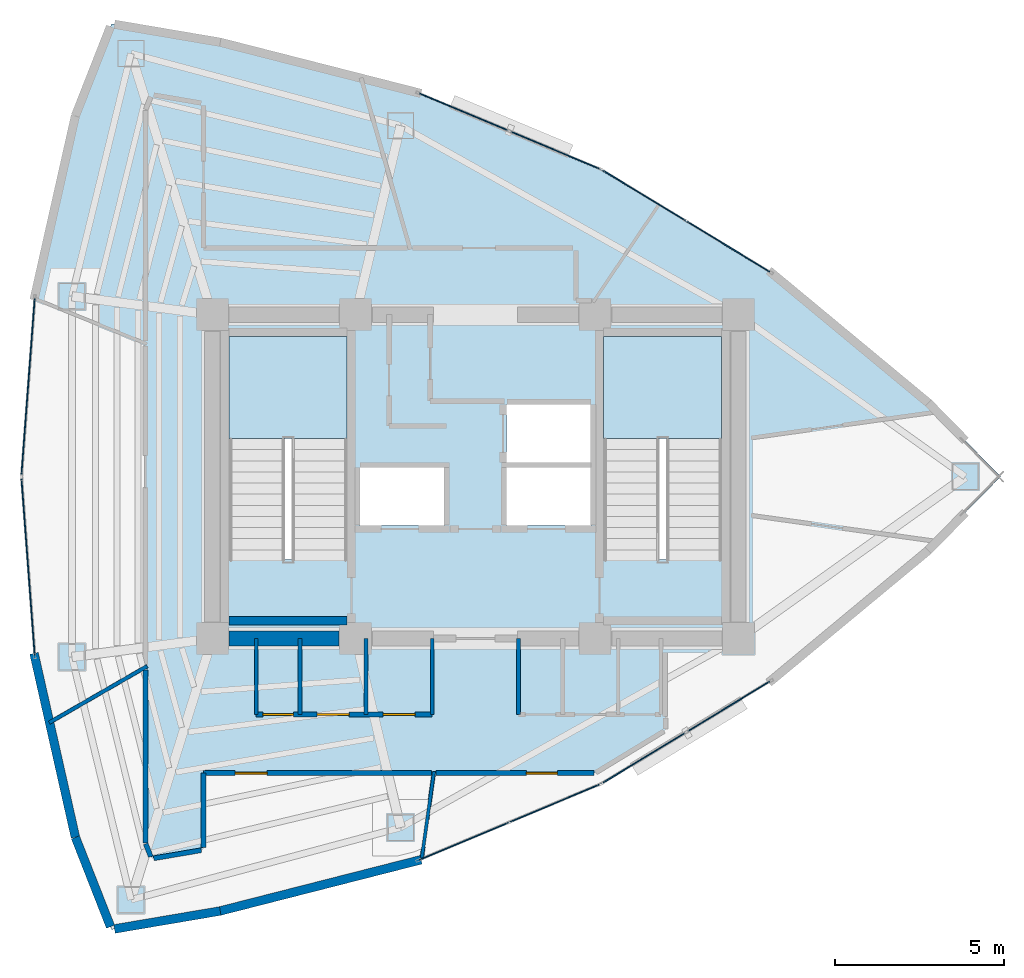
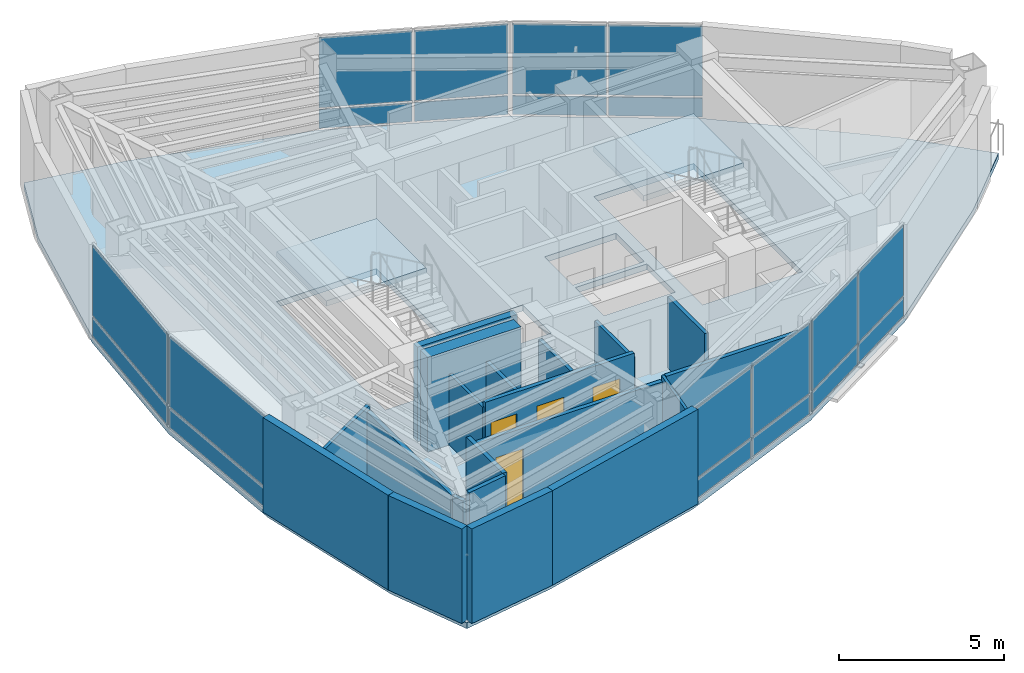
# One storey, part 11 of 15: 20 plates, 20 walls, 5 doors, 3 slabs, 5 openings, 8 elements without a shape of their own.
"""IFC4 building model written with IfcOpenShell, lengths in metres."""

import ifcopenshell
import ifcopenshell.guid

model = None  # the IFC model being written
_history = None  # IfcOwnerHistory: only IFC2X3 demands one
_inside = {}  # id of a spatial element -> (the spatial element, [elements in it])
_under = {}  # id of a project, library or spatial element -> (it, [spatial elements below it])
_declared = {}  # id of a project -> (the project, [libraries it declares])
_typed = {}  # id of a type object -> (the type object, [elements of that type])
_made_of = {}  # id of a material, layer set ... -> (it, [elements and type objects made of it])


def new_model(schema):
    """Start an empty IFC model of exactly this schema.

    Asked for "IFC4X3", IfcOpenShell would pick the latest addendum, in which some entities
    have other attributes; the version numbers below select the first issue.
    IFC2X3 requires an IfcOwnerHistory on every rooted entity: one is made here for all.
    """
    global model, _history
    if schema == "IFC4X3":
        model = ifcopenshell.file(schema_version=(4, 3, 0, 0))
    else:
        model = ifcopenshell.file(schema=schema)
    _inside.clear()
    _under.clear()
    _declared.clear()
    _typed.clear()
    _made_of.clear()
    _history = None
    if model.schema == "IFC2X3":
        org = make("IfcOrganization", Name="unknown")
        user = make(
            "IfcPersonAndOrganization",
            ThePerson=make("IfcPerson", FamilyName="unknown"),
            TheOrganization=org,
        )
        app = make(
            "IfcApplication",
            ApplicationDeveloper=org,
            Version="unknown",
            ApplicationFullName="unknown",
            ApplicationIdentifier="unknown",
        )
        _history = make(
            "IfcOwnerHistory",
            OwningUser=user,
            OwningApplication=app,
            ChangeAction="ADDED",
            CreationDate=0,
        )
    return model


def make(cls, **values):
    """One entity of the class cls with the attributes given. An attribute that is None is left unset."""
    return model.create_entity(
        cls, **{name: value for name, value in values.items() if value is not None}
    )


def rooted(cls, **values):
    """An entity with a GlobalId (a new one), such as an element, a storey or a relation."""
    return make(cls, GlobalId=ifcopenshell.guid.new(), OwnerHistory=_history, **values)


def si_unit(unit_type, name, prefix=None):
    """IfcSIUnit, for example si_unit("LENGTHUNIT", "METRE", prefix="MILLI")."""
    return make("IfcSIUnit", UnitType=unit_type, Prefix=prefix, Name=name)


def assignment(units):
    """IfcUnitAssignment: the units of a project."""
    return None if units is None else make("IfcUnitAssignment", Units=units)


def point(xyz):
    """IfcCartesianPoint."""
    return None if xyz is None else make("IfcCartesianPoint", Coordinates=xyz)


def direction(xyz):
    """IfcDirection."""
    return None if xyz is None else make("IfcDirection", DirectionRatios=xyz)


def frame(location, z_axis=None, x_axis=None):
    """IfcAxis2Placement3D, a coordinate frame: its origin and axes. An axis left out is left unset."""
    return make(
        "IfcAxis2Placement3D",
        Location=point(location),
        Axis=direction(z_axis),
        RefDirection=direction(x_axis),
    )


def frame_2d(location, x_axis=None):
    """IfcAxis2Placement2D, a coordinate frame in the plane: its origin and x axis."""
    return make(
        "IfcAxis2Placement2D", Location=point(location), RefDirection=direction(x_axis)
    )


def origin():
    """The frame at (0, 0, 0) with its axes left unset."""
    return frame((0.0, 0.0, 0.0))


def origin_2d():
    """The frame at (0, 0) in the plane with its x axis left unset."""
    return frame_2d((0.0, 0.0))


def place(relative_to, where):
    """IfcLocalPlacement: puts the frame where relative to a parent placement (None: the world)."""
    return make(
        "IfcLocalPlacement", PlacementRelTo=relative_to, RelativePlacement=where
    )


def context(
    kind, dimensions, precision=None, world=None, true_north=None, identifier=None
):
    """IfcGeometricRepresentationContext, for example the 3D "Model" context."""
    return make(
        "IfcGeometricRepresentationContext",
        ContextIdentifier=identifier,
        ContextType=kind,
        CoordinateSpaceDimension=dimensions,
        Precision=precision,
        WorldCoordinateSystem=world,
        TrueNorth=true_north,
    )


def subcontext(parent, identifier, kind, view, scale=None):
    """IfcGeometricRepresentationSubContext, for example "Body" below "Model"."""
    return make(
        "IfcGeometricRepresentationSubContext",
        ContextIdentifier=identifier,
        ContextType=kind,
        ParentContext=parent,
        TargetScale=scale,
        TargetView=view,
    )


def project(units=None, contexts=None):
    """IfcProject with its units and contexts."""
    return rooted(
        "IfcProject",
        Name="project",
        RepresentationContexts=contexts,
        UnitsInContext=assignment(units),
    )


def spatial(cls, under=None, at=None, **own):
    """A site, building, storey or space (cls), placed at a placement, below another one or the project."""
    s = rooted(cls, ObjectPlacement=at, **own)
    if under is not None:
        _under.setdefault(under.id(), (under, []))[1].append(s)
    return s


def polyline(points):
    """IfcPolyline through the points."""
    return make("IfcPolyline", Points=[point(p) for p in points])


def profile(cls, at=None, kind="AREA", **sizes):
    """A parametric profile (cls). Its sizes go by their IFC names, for example OverallWidth=200.0."""
    return make(cls, ProfileType=kind, Position=at, **sizes)


def rectangle(**sizes):
    """IfcRectangleProfileDef."""
    return profile("IfcRectangleProfileDef", **sizes)


def outline(outer, holes=None, kind="AREA"):
    """IfcArbitraryClosedProfileDef: a profile drawn as a closed curve; with holes, ...WithVoids."""
    if holes is None:
        return make("IfcArbitraryClosedProfileDef", ProfileType=kind, OuterCurve=outer)
    return make(
        "IfcArbitraryProfileDefWithVoids",
        ProfileType=kind,
        OuterCurve=outer,
        InnerCurves=holes,
    )


def extrude(swept, where, along, depth):
    """IfcExtrudedAreaSolid: the profile swept, set in the frame where, extruded along a direction by depth."""
    return make(
        "IfcExtrudedAreaSolid",
        SweptArea=swept,
        Position=where,
        ExtrudedDirection=direction(along),
        Depth=depth,
    )


def shape(context_of_items, identifier, shape_type, items):
    """IfcShapeRepresentation: the items that make up one representation, for example the "Body"."""
    return make(
        "IfcShapeRepresentation",
        ContextOfItems=context_of_items,
        RepresentationIdentifier=identifier,
        RepresentationType=shape_type,
        Items=items,
    )


def material(Name=None, Category=None):
    """IfcMaterial."""
    return make("IfcMaterial", Name=Name, Category=Category)


def layer(
    of_material, thickness, ventilated=None, Name=None, Category=None, Priority=None
):
    """IfcMaterialLayer: one layer of a wall or slab, of a material (None: an air gap)."""
    return make(
        "IfcMaterialLayer",
        Material=of_material,
        LayerThickness=thickness,
        IsVentilated=ventilated,
        Name=Name,
        Category=Category,
        Priority=Priority,
    )


def layer_set(layers, Name=None):
    """IfcMaterialLayerSet."""
    return make("IfcMaterialLayerSet", MaterialLayers=layers, LayerSetName=Name)


def made_of(thing, what):
    """Note that an element or type object is made of a material, layer set ...; save() writes the relation."""
    if what is not None:
        _made_of.setdefault(what.id(), (what, []))[1].append(thing)
    return thing


def type_object(cls, material=None, **own):
    """A type object (cls), such as IfcWallType, which elements share."""
    return made_of(rooted(cls, **own), material)


def element(
    cls,
    number,
    at=None,
    inside=None,
    cuts=None,
    type_object=None,
    material=None,
    context=None,
    identifier="Body",
    shape_type=None,
    held_by="IfcProductDefinitionShape",
    body=None,
    shapes=None,
    **own,
):
    """One element of the class cls, such as IfcWall. Its Tag is "e" and its number.

    at: its placement. inside: the storey or other place that contains it. cuts: it is an
    opening in that element (IfcRelVoidsElement). A single representation is given by context,
    identifier, shape_type and body (its items); several are given by shapes. held_by: the class
    of the entity that holds the representations. save() writes the other relations.
    """
    e = rooted(cls, Tag="e%d" % number, ObjectPlacement=at, **own)
    if body is not None:
        shapes = [shape(context, identifier, shape_type, body)]
    if shapes is not None:
        e.Representation = make(held_by, Representations=shapes)
    if inside is not None:
        _inside.setdefault(inside.id(), (inside, []))[1].append(e)
    if cuts is not None:
        rooted(
            "IfcRelVoidsElement", RelatingBuildingElement=cuts, RelatedOpeningElement=e
        )
    if type_object is not None:
        _typed.setdefault(type_object.id(), (type_object, []))[1].append(e)
    return made_of(e, material)


def fill(opening, filler):
    """IfcRelFillsElement: the door or window that sits in an opening."""
    return rooted(
        "IfcRelFillsElement",
        RelatingOpeningElement=opening,
        RelatedBuildingElement=filler,
    )


def aggregate(whole, parts):
    """IfcRelAggregates: a whole, such as a stair, and the parts it consists of."""
    return rooted("IfcRelAggregates", RelatingObject=whole, RelatedObjects=parts)


def save(model, path):
    """Write the relations noted so far, then the file.

    IfcRelAggregates (storeys below a building ...), IfcRelContainedInSpatialStructure (elements
    in a storey), IfcRelDefinesByType, IfcRelAssociatesMaterial and IfcRelDeclares: one each for
    every whole, place, type object, material and project.
    """
    for whole, parts in _under.values():
        aggregate(whole, parts)
    for where, things in _inside.values():
        rooted(
            "IfcRelContainedInSpatialStructure",
            RelatedElements=things,
            RelatingStructure=where,
        )
    for kind, things in _typed.values():
        rooted("IfcRelDefinesByType", RelatedObjects=things, RelatingType=kind)
    for what, things in _made_of.values():
        rooted("IfcRelAssociatesMaterial", RelatedObjects=things, RelatingMaterial=what)
    for by, libraries in _declared.values():
        rooted("IfcRelDeclares", RelatingContext=by, RelatedDefinitions=libraries)
    model.write(path)


model = new_model("IFC4")

# Units and contexts
model_context = context("Model", 3, precision=1e-05, world=origin(), true_north=direction((0.0, 1.0)))
body_context = subcontext(model_context, "Body", "Model", "MODEL_VIEW")
ifc_project = project(units=[si_unit("LENGTHUNIT", "METRE"), si_unit("AREAUNIT", "SQUARE_METRE"), si_unit("VOLUMEUNIT", "CUBIC_METRE"), si_unit("PLANEANGLEUNIT", "RADIAN"), si_unit("MASSUNIT", "GRAM", prefix="KILO")], contexts=[model_context])

# Site, building, storey
site_placement = place(None, origin())
site = spatial("IfcSite", under=ifc_project, at=site_placement, CompositionType="ELEMENT")
building_placement = place(site_placement, origin())
building = spatial("IfcBuilding", under=site, at=building_placement, Name="Menara Vayukalpa", CompositionType="ELEMENT")
storey_placement = place(building_placement, frame((0.0, 0.0, 284.340087890625)))
storey = spatial("IfcBuildingStorey", under=building, at=storey_placement, Name="L72", CompositionType="ELEMENT", Elevation=284.340087890625)

# Curtain wall, plates
ifc_material_1 = material(Name="Anodised Terracotta Aluminium Alloy 6063-T6", Category="masonry")
ifc_layer_1 = layer(ifc_material_1, 0.1650390625)
ifc_layer_set_1 = layer_set([ifc_layer_1], Name="Anodised Terracotta Aluminium Alloy 6063-T6")
curtain_wall_type = type_object("IfcCurtainWallType", Name="CW-CW6", PredefinedType="USERDEFINED", material=ifc_layer_set_1)
curtain_wall_1_placement = place(storey_placement, origin())
curtain_wall_1 = element("IfcCurtainWall", 1, at=curtain_wall_1_placement, inside=storey, type_object=curtain_wall_type, Name="L72 Observation and Executive Curtain Wall CW6 04", ObjectType="UNITISED", PredefinedType="USERDEFINED")
ifc_material_2 = material(Name="Low-E Double Glazing", Category="glass")
ifc_layer_2 = layer(ifc_material_2, 0.033935546875)
ifc_layer_set_2 = layer_set([ifc_layer_2], Name="Low-E Double Glazing")
plate_type = type_object("IfcPlateType", Name="CWP-CW6", PredefinedType="CURTAIN_PANEL", material=ifc_layer_set_2)
plate_1_placement = place(storey_placement, frame((33.102783203125, 28.814208984375, 0.074951171875), z_axis=(0.0, 0.0, 1.0), x_axis=(-0.854667609532, 0.519175574558, 0.0)))
plate_1 = element("IfcPlate", 2, at=plate_1_placement, type_object=plate_type, Name="CW6 panel 1.1", PredefinedType="CURTAIN_PANEL", context=body_context, shape_type="SweptSolid", body=[
    extrude(rectangle(XDim=2.8486328125, YDim=0.033935546875, at=origin_2d()), origin(), (0.0, 0.0, 1.0), 0.6875),
])
plate_2_placement = place(storey_placement, frame((33.102783203125, 28.814208984375, 0.83740234375), z_axis=(0.0, 0.0, 1.0), x_axis=(-0.854667609532, 0.519175574558, 0.0)))
plate_2 = element("IfcPlate", 3, at=plate_2_placement, type_object=plate_type, Name="CW6 panel 1.2", PredefinedType="CURTAIN_PANEL", context=body_context, shape_type="SweptSolid", body=[
    extrude(rectangle(XDim=2.8486328125, YDim=0.033935546875, at=origin_2d()), origin(), (0.0, 0.0, 1.0), 2.58740234375),
])
plate_3_placement = place(storey_placement, frame((30.608154296875, 30.329345703125, 0.074951171875), z_axis=(0.0, 0.0, 1.0), x_axis=(-0.854667609532, 0.519175574558, 0.0)))
plate_3 = element("IfcPlate", 4, at=plate_3_placement, type_object=plate_type, Name="CW6 panel 2.1", PredefinedType="CURTAIN_PANEL", context=body_context, shape_type="SweptSolid", body=[
    extrude(rectangle(XDim=2.8486328125, YDim=0.033935546875, at=origin_2d()), origin(), (0.0, 0.0, 1.0), 0.6875),
])
plate_4_placement = place(storey_placement, frame((30.608154296875, 30.329345703125, 0.83740234375), z_axis=(0.0, 0.0, 1.0), x_axis=(-0.854667609532, 0.519175574558, 0.0)))
plate_4 = element("IfcPlate", 5, at=plate_4_placement, type_object=plate_type, Name="CW6 panel 2.2", PredefinedType="CURTAIN_PANEL", context=body_context, shape_type="SweptSolid", body=[
    extrude(rectangle(XDim=2.8486328125, YDim=0.033935546875, at=origin_2d()), origin(), (0.0, 0.0, 1.0), 2.58740234375),
])
aggregate(curtain_wall_1, [plate_1, plate_2, plate_3, plate_4])

curtain_wall_2_placement = place(storey_placement, origin())
curtain_wall_2 = element("IfcCurtainWall", 6, at=curtain_wall_2_placement, inside=storey, type_object=curtain_wall_type, Name="L72 Observation and Executive Curtain Wall CW6 05", ObjectType="UNITISED", PredefinedType="USERDEFINED")
plate_5_placement = place(storey_placement, frame((27.952392578125, 31.681884765625, 0.074951171875), z_axis=(0.0, 0.0, 1.0), x_axis=(-0.922540653927, 0.385899911703, 0.0)))
plate_5 = element("IfcPlate", 7, at=plate_5_placement, type_object=plate_type, Name="CW6 panel 1.1", PredefinedType="CURTAIN_PANEL", context=body_context, shape_type="SweptSolid", body=[
    extrude(rectangle(XDim=2.8486328125, YDim=0.033935546875, at=origin_2d()), origin(), (0.0, 0.0, 1.0), 0.6875),
])
plate_6_placement = place(storey_placement, frame((27.952392578125, 31.681884765625, 0.83740234375), z_axis=(0.0, 0.0, 1.0), x_axis=(-0.922540653927, 0.385899911703, 0.0)))
plate_6 = element("IfcPlate", 8, at=plate_6_placement, type_object=plate_type, Name="CW6 panel 1.2", PredefinedType="CURTAIN_PANEL", context=body_context, shape_type="SweptSolid", body=[
    extrude(rectangle(XDim=2.8486328125, YDim=0.033935546875, at=origin_2d()), origin(), (0.0, 0.0, 1.0), 2.58740234375),
])
plate_7_placement = place(storey_placement, frame((25.259765625, 32.808349609375, 0.074951171875), z_axis=(0.0, 0.0, 1.0), x_axis=(-0.922540653927, 0.385899911703, 0.0)))
plate_7 = element("IfcPlate", 9, at=plate_7_placement, type_object=plate_type, Name="CW6 panel 2.1", PredefinedType="CURTAIN_PANEL", context=body_context, shape_type="SweptSolid", body=[
    extrude(rectangle(XDim=2.8486328125, YDim=0.033935546875, at=origin_2d()), origin(), (0.0, 0.0, 1.0), 0.6875),
])
plate_8_placement = place(storey_placement, frame((25.259765625, 32.808349609375, 0.83740234375), z_axis=(0.0, 0.0, 1.0), x_axis=(-0.922540653927, 0.385899911703, 0.0)))
plate_8 = element("IfcPlate", 10, at=plate_8_placement, type_object=plate_type, Name="CW6 panel 2.2", PredefinedType="CURTAIN_PANEL", context=body_context, shape_type="SweptSolid", body=[
    extrude(rectangle(XDim=2.8486328125, YDim=0.033935546875, at=origin_2d()), origin(), (0.0, 0.0, 1.0), 2.58740234375),
])
aggregate(curtain_wall_2, [plate_5, plate_6, plate_7, plate_8])

curtain_wall_3_placement = place(storey_placement, origin())
curtain_wall_3 = element("IfcCurtainWall", 11, at=curtain_wall_3_placement, inside=storey, type_object=curtain_wall_type, Name="L72 Observation and Executive Curtain Wall CW6 10", ObjectType="UNITISED", PredefinedType="USERDEFINED")
plate_9_placement = place(storey_placement, frame((12.33837890625, 24.67333984375, 0.074951171875), z_axis=(0.0, 0.0, 1.0), x_axis=(-0.074789484574, -0.997199344663, 0.0)))
plate_9 = element("IfcPlate", 12, at=plate_9_placement, type_object=plate_type, Name="CW6 panel 1.1", PredefinedType="CURTAIN_PANEL", context=body_context, shape_type="SweptSolid", body=[
    extrude(rectangle(XDim=5.2216796875, YDim=0.033935546875, at=origin_2d()), origin(), (0.0, 0.0, 1.0), 0.6875),
])
plate_10_placement = place(storey_placement, frame((12.33837890625, 24.67333984375, 0.83740234375), z_axis=(0.0, 0.0, 1.0), x_axis=(-0.074789484574, -0.997199344663, 0.0)))
plate_10 = element("IfcPlate", 13, at=plate_10_placement, type_object=plate_type, Name="CW6 panel 1.2", PredefinedType="CURTAIN_PANEL", context=body_context, shape_type="SweptSolid", body=[
    extrude(rectangle(XDim=5.2216796875, YDim=0.033935546875, at=origin_2d()), origin(), (0.0, 0.0, 1.0), 2.58740234375),
])
aggregate(curtain_wall_3, [plate_9, plate_10])

curtain_wall_4_placement = place(storey_placement, origin())
curtain_wall_4 = element("IfcCurtainWall", 14, at=curtain_wall_4_placement, inside=storey, type_object=curtain_wall_type, Name="L72 Observation and Executive Curtain Wall CW6 11", ObjectType="UNITISED", PredefinedType="USERDEFINED")
plate_11_placement = place(storey_placement, frame((12.33837890625, 19.32666015625, 0.074951171875), z_axis=(0.0, 0.0, 1.0), x_axis=(0.074789484574, -0.997199344663, 0.0)))
plate_11 = element("IfcPlate", 15, at=plate_11_placement, type_object=plate_type, Name="CW6 panel 1.1", PredefinedType="CURTAIN_PANEL", context=body_context, shape_type="SweptSolid", body=[
    extrude(rectangle(XDim=5.2216796875, YDim=0.033935546875, at=origin_2d()), origin(), (0.0, 0.0, 1.0), 0.6875),
])
plate_12_placement = place(storey_placement, frame((12.33837890625, 19.32666015625, 0.83740234375), z_axis=(0.0, 0.0, 1.0), x_axis=(0.074789484574, -0.997199344663, 0.0)))
plate_12 = element("IfcPlate", 16, at=plate_12_placement, type_object=plate_type, Name="CW6 panel 1.2", PredefinedType="CURTAIN_PANEL", context=body_context, shape_type="SweptSolid", body=[
    extrude(rectangle(XDim=5.2216796875, YDim=0.033935546875, at=origin_2d()), origin(), (0.0, 0.0, 1.0), 2.58740234375),
])
aggregate(curtain_wall_4, [plate_11, plate_12])

curtain_wall_5_placement = place(storey_placement, origin())
curtain_wall_5 = element("IfcCurtainWall", 17, at=curtain_wall_5_placement, inside=storey, type_object=curtain_wall_type, Name="L72 Observation and Executive Curtain Wall CW6 16", ObjectType="UNITISED", PredefinedType="USERDEFINED")
plate_13_placement = place(storey_placement, frame((25.259765625, 11.191650390625, 0.074951171875), z_axis=(0.0, 0.0, 1.0), x_axis=(0.922540653927, 0.385899911703, 0.0)))
plate_13 = element("IfcPlate", 18, at=plate_13_placement, type_object=plate_type, Name="CW6 panel 1.1", PredefinedType="CURTAIN_PANEL", context=body_context, shape_type="SweptSolid", body=[
    extrude(rectangle(XDim=2.8486328125, YDim=0.033935546875, at=origin_2d()), origin(), (0.0, 0.0, 1.0), 0.6875),
])
plate_14_placement = place(storey_placement, frame((25.259765625, 11.191650390625, 0.83740234375), z_axis=(0.0, 0.0, 1.0), x_axis=(0.922540653927, 0.385899911703, 0.0)))
plate_14 = element("IfcPlate", 19, at=plate_14_placement, type_object=plate_type, Name="CW6 panel 1.2", PredefinedType="CURTAIN_PANEL", context=body_context, shape_type="SweptSolid", body=[
    extrude(rectangle(XDim=2.8486328125, YDim=0.033935546875, at=origin_2d()), origin(), (0.0, 0.0, 1.0), 2.58740234375),
])
plate_15_placement = place(storey_placement, frame((27.952392578125, 12.318115234375, 0.074951171875), z_axis=(0.0, 0.0, 1.0), x_axis=(0.922540653927, 0.385899911703, 0.0)))
plate_15 = element("IfcPlate", 20, at=plate_15_placement, type_object=plate_type, Name="CW6 panel 2.1", PredefinedType="CURTAIN_PANEL", context=body_context, shape_type="SweptSolid", body=[
    extrude(rectangle(XDim=2.8486328125, YDim=0.033935546875, at=origin_2d()), origin(), (0.0, 0.0, 1.0), 0.6875),
])
plate_16_placement = place(storey_placement, frame((27.952392578125, 12.318115234375, 0.83740234375), z_axis=(0.0, 0.0, 1.0), x_axis=(0.922540653927, 0.385899911703, 0.0)))
plate_16 = element("IfcPlate", 21, at=plate_16_placement, type_object=plate_type, Name="CW6 panel 2.2", PredefinedType="CURTAIN_PANEL", context=body_context, shape_type="SweptSolid", body=[
    extrude(rectangle(XDim=2.8486328125, YDim=0.033935546875, at=origin_2d()), origin(), (0.0, 0.0, 1.0), 2.58740234375),
])
aggregate(curtain_wall_5, [plate_13, plate_14, plate_15, plate_16])

curtain_wall_6_placement = place(storey_placement, origin())
curtain_wall_6 = element("IfcCurtainWall", 22, at=curtain_wall_6_placement, inside=storey, type_object=curtain_wall_type, Name="L72 Observation and Executive Curtain Wall CW6 17", ObjectType="UNITISED", PredefinedType="USERDEFINED")
plate_17_placement = place(storey_placement, frame((30.608154296875, 13.670654296875, 0.074951171875), z_axis=(0.0, 0.0, 1.0), x_axis=(0.854667609532, 0.519175574558, 0.0)))
plate_17 = element("IfcPlate", 23, at=plate_17_placement, type_object=plate_type, Name="CW6 panel 1.1", PredefinedType="CURTAIN_PANEL", context=body_context, shape_type="SweptSolid", body=[
    extrude(rectangle(XDim=2.8486328125, YDim=0.033935546875, at=origin_2d()), origin(), (0.0, 0.0, 1.0), 0.6875),
])
plate_18_placement = place(storey_placement, frame((30.608154296875, 13.670654296875, 0.83740234375), z_axis=(0.0, 0.0, 1.0), x_axis=(0.854667609532, 0.519175574558, 0.0)))
plate_18 = element("IfcPlate", 24, at=plate_18_placement, type_object=plate_type, Name="CW6 panel 1.2", PredefinedType="CURTAIN_PANEL", context=body_context, shape_type="SweptSolid", body=[
    extrude(rectangle(XDim=2.8486328125, YDim=0.033935546875, at=origin_2d()), origin(), (0.0, 0.0, 1.0), 2.58740234375),
])
plate_19_placement = place(storey_placement, frame((33.102783203125, 15.185791015625, 0.074951171875), z_axis=(0.0, 0.0, 1.0), x_axis=(0.854667609532, 0.519175574558, 0.0)))
plate_19 = element("IfcPlate", 25, at=plate_19_placement, type_object=plate_type, Name="CW6 panel 2.1", PredefinedType="CURTAIN_PANEL", context=body_context, shape_type="SweptSolid", body=[
    extrude(rectangle(XDim=2.8486328125, YDim=0.033935546875, at=origin_2d()), origin(), (0.0, 0.0, 1.0), 0.6875),
])
plate_20_placement = place(storey_placement, frame((33.102783203125, 15.185791015625, 0.83740234375), z_axis=(0.0, 0.0, 1.0), x_axis=(0.854667609532, 0.519175574558, 0.0)))
plate_20 = element("IfcPlate", 26, at=plate_20_placement, type_object=plate_type, Name="CW6 panel 2.2", PredefinedType="CURTAIN_PANEL", context=body_context, shape_type="SweptSolid", body=[
    extrude(rectangle(XDim=2.8486328125, YDim=0.033935546875, at=origin_2d()), origin(), (0.0, 0.0, 1.0), 2.58740234375),
])
aggregate(curtain_wall_6, [plate_17, plate_18, plate_19, plate_20])

# Slab
ifc_material_3 = material(Name="Concrete C40/50", Category="concrete")
ifc_layer_3 = layer(ifc_material_3, 0.219970703125)
ifc_layer_set_3 = layer_set([ifc_layer_3], Name="Concrete C40/50")
slab_type_1 = type_object("IfcSlabType", Name="SLB-FL220", PredefinedType="FLOOR", material=ifc_layer_set_3)
slab_1_placement = place(storey_placement, frame((0.0, 0.0, -0.219970703125)))
element("IfcSlab", 27, at=slab_1_placement, inside=storey, type_object=slab_type_1, Name="L72 Structural Floor Slab", PredefinedType="FLOOR", context=body_context, shape_type="SweptSolid", body=[
    extrude(outline(polyline([(39.02783203125, 19.816162109375), (41.171875, 22.0), (39.02783203125, 24.183837890625), (34.3798828125, 28.038330078125), (29.3310546875, 31.105224609375), (23.881103515625, 33.385009765625), (18.0302734375, 34.877197265625), (14.814208984375, 35.423095703125), (13.741943359375, 32.693359375), (12.5390625, 27.3466796875), (12.137939453125, 22.0), (12.5390625, 16.6533203125), (13.741943359375, 11.306640625), (14.814208984375, 8.576904296875), (18.0302734375, 9.122802734375), (23.881103515625, 10.614990234375), (29.3310546875, 12.894775390625), (34.3798828125, 15.961669921875), (39.02783203125, 19.816162109375)]), holes=[polyline([(21.800048828125, 19.550048828125), (21.800048828125, 26.14990234375), (18.300048828125, 26.14990234375), (18.300048828125, 19.550048828125), (21.800048828125, 19.550048828125)]), polyline([(32.89990234375, 19.550048828125), (32.89990234375, 26.14990234375), (29.39990234375, 26.14990234375), (29.39990234375, 19.550048828125), (32.89990234375, 19.550048828125)]), polyline([(22.179931640625, 20.550048828125), (24.679931640625, 20.550048828125), (24.679931640625, 22.27001953125), (22.179931640625, 22.27001953125), (22.179931640625, 20.550048828125)]), polyline([(26.52001953125, 20.550048828125), (29.02001953125, 20.550048828125), (29.02001953125, 22.27001953125), (26.52001953125, 22.27001953125), (26.52001953125, 20.550048828125)]), polyline([(26.52001953125, 22.419921875), (29.02001953125, 22.419921875), (29.02001953125, 24.139892578125), (26.52001953125, 24.139892578125), (26.52001953125, 22.419921875)])]), origin(), (0.0, 0.0, 1.0), 0.219970703125),
])

# Stair, slab
ifc_material_4 = material(Name="Precast Concrete C40/50", Category="concrete")
stair_type = type_object("IfcStairType", Name="STR-T04", PredefinedType="DOUBLE_RETURN_STAIR", material=ifc_material_4)
stair_1_placement = place(storey_placement, origin())
stair_1 = element("IfcStair", 28, at=stair_1_placement, inside=storey, type_object=stair_type, Name="L72 Core Exit Stair ST-1", PredefinedType="DOUBLE_RETURN_STAIR")
ifc_material_5 = material(Name="Precast Concrete C40/50", Category="concrete")
ifc_layer_4 = layer(ifc_material_5, 0.199951171875)
ifc_layer_set_4 = layer_set([ifc_layer_4], Name="Precast Concrete C40/50")
slab_type_2 = type_object("IfcSlabType", Name="SLB-LND200", PredefinedType="LANDING", material=ifc_layer_set_4)
slab_2_placement = place(storey_placement, frame((0.0, 0.0, 1.659912109375)))
slab_2 = element("IfcSlab", 29, at=slab_2_placement, type_object=slab_type_2, Name="ST-1 landing 1", PredefinedType="LANDING", context=body_context, shape_type="SweptSolid", body=[
    extrude(outline(polyline([(21.800048828125, 23.1298828125), (21.800048828125, 26.14990234375), (18.300048828125, 26.14990234375), (18.300048828125, 23.1298828125), (21.800048828125, 23.1298828125)])), origin(), (0.0, 0.0, 1.0), 0.199951171875),
])
aggregate(stair_1, [slab_2])

stair_2_placement = place(storey_placement, origin())
stair_2 = element("IfcStair", 30, at=stair_2_placement, inside=storey, type_object=stair_type, Name="L72 Core Exit Stair ST-2", PredefinedType="DOUBLE_RETURN_STAIR")
slab_3_placement = place(storey_placement, frame((0.0, 0.0, 1.659912109375)))
slab_3 = element("IfcSlab", 31, at=slab_3_placement, type_object=slab_type_2, Name="ST-2 landing 1", PredefinedType="LANDING", context=body_context, shape_type="SweptSolid", body=[
    extrude(outline(polyline([(32.89990234375, 23.1298828125), (32.89990234375, 26.14990234375), (29.39990234375, 26.14990234375), (29.39990234375, 23.1298828125), (32.89990234375, 23.1298828125)])), origin(), (0.0, 0.0, 1.0), 0.199951171875),
])
aggregate(stair_2, [slab_3])

# Walls
ifc_material_6 = material(Name="Concrete C50/60", Category="concrete")
ifc_layer_5 = layer(ifc_material_6, 0.449951171875)
ifc_layer_set_5 = layer_set([ifc_layer_5], Name="Concrete C50/60")
wall_type_1 = type_object("IfcWallType", Name="WAL-CW450", PredefinedType="SHEAR", material=ifc_layer_set_5)
wall_1_placement = place(storey_placement, frame((18.294921875, 17.199951171875, 0.0), z_axis=(0.0, 0.0, 1.0), x_axis=(1.0, 0.0, 0.0)))
element("IfcWall", 32, at=wall_1_placement, inside=storey, type_object=wall_type_1, Name="L72 Buttressed Core Shear Wall CWS1", PredefinedType="SHEAR", context=body_context, shape_type="SweptSolid", body=[
    extrude(rectangle(XDim=3.260009765625, YDim=0.449951171875, at=frame_2d((1.6298828125, 0.0))), origin(), (0.0, 0.0, 1.0), 3.5),
])
ifc_material_7 = material(Name="Insulated Precast Concrete C40/50", Category="concrete")
ifc_layer_6 = layer(ifc_material_7, 0.260009765625)
ifc_layer_set_6 = layer_set([ifc_layer_6], Name="Insulated Precast Concrete C40/50")
wall_type_2 = type_object("IfcWallType", Name="WAL-EXT260", PredefinedType="PARTITIONING", material=ifc_layer_set_6)
wall_2_placement = place(storey_placement, frame((13.741943359375, 11.306640625, 0.0), z_axis=(0.0, 0.0, 1.0), x_axis=(-0.219500763731, 0.97561232809, 0.0)))
element("IfcWall", 33, at=wall_2_placement, inside=storey, type_object=wall_type_2, Name="L72 Perimeter Terracotta Pier Wall 12", PredefinedType="PARTITIONING", context=body_context, shape_type="SweptSolid", body=[
    extrude(rectangle(XDim=5.590087890625, YDim=0.260009765625, at=frame_2d((2.794921875, 0.0))), origin(), (0.0, 0.0, 1.0), 3.5),
])
wall_3_placement = place(storey_placement, frame((14.7822265625, 8.658203125, 0.0), z_axis=(0.0, 0.0, 1.0), x_axis=(-0.36559927932, 0.930772349697, 0.0)))
element("IfcWall", 34, at=wall_3_placement, inside=storey, type_object=wall_type_2, Name="L72 Perimeter Terracotta Pier Wall 13", PredefinedType="PARTITIONING", context=body_context, shape_type="SweptSolid", body=[
    extrude(rectangle(XDim=2.845458984375, YDim=0.260009765625, at=frame_2d((1.4228515625, 0.0))), origin(), (0.0, 0.0, 1.0), 3.5),
])
wall_4_placement = place(storey_placement, frame((18.0361328125, 9.123779296875, 0.0), z_axis=(0.0, 0.0, 1.0), x_axis=(-0.985889432766, -0.167397808709, 0.0)))
element("IfcWall", 35, at=wall_4_placement, inside=storey, type_object=wall_type_2, Name="L72 Perimeter Terracotta Pier Wall 14", PredefinedType="PARTITIONING", context=body_context, shape_type="SweptSolid", body=[
    extrude(rectangle(XDim=3.180908203125, YDim=0.260009765625, at=frame_2d((1.59033203125, 0.0))), origin(), (0.0, 0.0, 1.0), 3.5),
])
wall_5_placement = place(storey_placement, frame((23.98779296875, 10.64208984375, 0.0), z_axis=(0.0, 0.0, 1.0), x_axis=(-0.968988278672, -0.247106689096, 0.0)))
element("IfcWall", 36, at=wall_5_placement, inside=storey, type_object=wall_type_2, Name="L72 Perimeter Terracotta Pier Wall 15", PredefinedType="PARTITIONING", context=body_context, shape_type="SweptSolid", body=[
    extrude(rectangle(XDim=6.154296875, YDim=0.260009765625, at=frame_2d((3.0771484375, 0.0))), origin(), (0.0, 0.0, 1.0), 3.5),
])
ifc_material_8 = material(Name="Glazed Demountable Office Partition", Category="glass")
ifc_layer_7 = layer(ifc_material_8, 0.094970703125)
ifc_layer_set_7 = layer_set([ifc_layer_7], Name="Glazed Demountable Office Partition")
wall_type_3 = type_object("IfcWallType", Name="WAL-PT100", PredefinedType="PARTITIONING", material=ifc_layer_set_7)
wall_6_placement = place(storey_placement, frame((24.37158203125, 13.260009765625, 0.0), z_axis=(0.0, 0.0, 1.0), x_axis=(-0.139185119823, -0.990266379526, 0.0)))
element("IfcWall", 37, at=wall_6_placement, inside=storey, type_object=wall_type_3, Name="L72 Interior Partition IW-L72-RDIV06", PredefinedType="PARTITIONING", context=body_context, shape_type="SweptSolid", body=[
    extrude(rectangle(XDim=2.62939453125, YDim=0.094970703125, at=frame_2d((1.314697265625, 0.0))), origin(), (0.0, 0.0, 1.0), 2.97998046875),
])
ifc_material_9 = material(Name="Acoustic Mineral Stud Partition", Category="masonry")
ifc_layer_8 = layer(ifc_material_9, 0.110107421875)
ifc_layer_set_8 = layer_set([ifc_layer_8], Name="Acoustic Mineral Stud Partition")
wall_type_4 = type_object("IfcWallType", Name="WAL-PT110", PredefinedType="PARTITIONING", material=ifc_layer_set_8)
for number, where, z_axis, x_axis, name in (
    (38, (19.10009765625, 14.949951171875, 0.0), (0.0, 0.0, 1.0), (0.0, 1.0, 0.0), "L72 Interior Partition IW-L72-SVCD-01"),
    (39, (24.320068359375, 14.949951171875, 0.0), (0.0, 0.0, 1.0), (0.0, 1.0, 0.0), "L72 Interior Partition IW-L72-SVCD-04"),
):
    element("IfcWall", number, at=place(storey_placement, frame(where, z_axis=z_axis, x_axis=x_axis)), inside=storey, type_object=wall_type_4, Name=name, PredefinedType="PARTITIONING", context=body_context, shape_type="SweptSolid", body=[
        extrude(rectangle(XDim=2.25, YDim=0.110107421875, at=frame_2d((1.125, 0.0))), origin(), (0.0, 0.0, 1.0), 2.6298828125),
    ])
wall_7_placement = place(storey_placement, frame((15.8701171875, 16.38232421875, 0.0), z_axis=(0.0, 0.0, 1.0), x_axis=(-0.866052188221, -0.499953605124, 0.0)))
element("IfcWall", 40, at=wall_7_placement, inside=storey, type_object=wall_type_4, Name="L72 Interior Partition IW-L72-RDIV05", PredefinedType="PARTITIONING", context=body_context, shape_type="SweptSolid", body=[
    extrude(rectangle(XDim=3.352294921875, YDim=0.110107421875, at=frame_2d((1.67626953125, 0.0))), origin(), (0.0, 0.0, 1.0), 2.97998046875),
])
ifc_material_10 = material(Name="Gypsum Drywall Steel Stud Assembly", Category="steel")
ifc_layer_9 = layer(ifc_material_10, 0.125)
ifc_layer_set_9 = layer_set([ifc_layer_9], Name="Gypsum Drywall Steel Stud Assembly")
wall_type_5 = type_object("IfcWallType", Name="WAL-PT125", PredefinedType="PARTITIONING", material=ifc_layer_set_9)
for number, where, z_axis, x_axis, name in (
    (41, (20.39990234375, 14.949951171875, 0.0), (0.0, 0.0, 1.0), (0.0, 1.0, 0.0), "L72 Interior Partition IW-L72-SVCD-02"),
    (42, (22.360107421875, 14.949951171875, 0.0), (0.0, 0.0, 1.0), (0.0, 1.0, 0.0), "L72 Interior Partition IW-L72-SVCD-03"),
    (43, (26.8798828125, 14.949951171875, 0.0), (0.0, 0.0, 1.0), (0.0, 1.0, 0.0), "L72 Interior Partition IW-L72-SVCD-05"),
):
    element("IfcWall", number, at=place(storey_placement, frame(where, z_axis=z_axis, x_axis=x_axis)), inside=storey, type_object=wall_type_5, Name=name, PredefinedType="PARTITIONING", context=body_context, shape_type="SweptSolid", body=[
        extrude(rectangle(XDim=2.25, YDim=0.125, at=frame_2d((1.125, 0.0))), origin(), (0.0, 0.0, 1.0), 2.6298828125),
    ])

# Wall, openings, doors
ifc_material_11 = material(Name="Gypsum Drywall Acoustic Stud Assembly", Category="masonry")
ifc_layer_10 = layer(ifc_material_11, 0.14501953125)
ifc_layer_set_10 = layer_set([ifc_layer_10], Name="Gypsum Drywall Acoustic Stud Assembly")
wall_type_6 = type_object("IfcWallType", Name="WAL-PT150", PredefinedType="PARTITIONING", material=ifc_layer_set_10)
wall_8_placement = place(storey_placement, frame((19.10009765625, 14.949951171875, 0.0), z_axis=(0.0, 0.0, 1.0), x_axis=(1.0, 0.0, 0.0)))
wall_8 = element("IfcWall", 44, at=wall_8_placement, inside=storey, type_object=wall_type_6, Name="L72 Interior Partition IW-L72-SVCS-W", PredefinedType="PARTITIONING", context=body_context, shape_type="SweptSolid", body=[
    extrude(rectangle(XDim=5.219970703125, YDim=0.14501953125, at=frame_2d((2.60986328125, 0.0))), origin(), (0.0, 0.0, 1.0), 2.829833984375),
])
opening_1_placement = place(wall_8_placement, frame((0.199951171875, 0.0, 0.0)))
opening_1 = element("IfcOpeningElement", 45, at=opening_1_placement, cuts=wall_8, Name="Opening ID7", PredefinedType="OPENING", context=body_context, shape_type="SweptSolid", body=[
    extrude(rectangle(XDim=0.89990234375, YDim=2.02001953125, at=frame_2d((0.449951171875, 1.010009765625))), frame((0.0, 0.08251953125, 0.0), z_axis=(0.0, -1.0, 0.0), x_axis=(1.0, 0.0, 0.0)), (0.0, 0.0, 1.0), 0.1650390625),
])
opening_2_placement = place(wall_8_placement, frame((1.804931640625, 0.0, 0.0)))
opening_2 = element("IfcOpeningElement", 46, at=opening_2_placement, cuts=wall_8, Name="Opening ID5", PredefinedType="OPENING", context=body_context, shape_type="SweptSolid", body=[
    extrude(rectangle(XDim=0.949951171875, YDim=2.06005859375, at=frame_2d((0.47509765625, 1.030029296875))), frame((0.0, 0.08251953125, 0.0), z_axis=(0.0, -1.0, 0.0), x_axis=(1.0, 0.0, 0.0)), (0.0, 0.0, 1.0), 0.1650390625),
])
opening_3_placement = place(wall_8_placement, frame((3.764892578125, 0.0, 0.0)))
opening_3 = element("IfcOpeningElement", 47, at=opening_3_placement, cuts=wall_8, Name="Opening ID5", PredefinedType="OPENING", context=body_context, shape_type="SweptSolid", body=[
    extrude(rectangle(XDim=0.949951171875, YDim=2.06005859375, at=frame_2d((0.47509765625, 1.030029296875))), frame((0.0, 0.08251953125, 0.0), z_axis=(0.0, -1.0, 0.0), x_axis=(1.0, 0.0, 0.0)), (0.0, 0.0, 1.0), 0.1650390625),
])
ifc_material_12 = material(Name="Acoustic Hardwood Veneer Timber Door", Category="wood")
door_type_1 = type_object("IfcDoorType", Name="DR-INT95", OperationType="NOTDEFINED", PredefinedType="DOOR", material=ifc_material_12)
door_1_placement = place(opening_2_placement, origin())
door_1 = element("IfcDoor", 48, at=door_1_placement, inside=storey, type_object=door_type_1, Name="L72 Interior Door DR-L72-AWC", OperationType="SINGLE_SWING_LEFT", OverallHeight=2.06005859375, OverallWidth=0.949951171875, PredefinedType="DOOR", context=body_context, shape_type="SweptSolid", body=[
    extrude(rectangle(XDim=0.949951171875, YDim=2.06005859375, at=frame_2d((0.47509765625, 1.030029296875))), frame((0.0, 0.02490234375, 0.0), z_axis=(0.0, -1.0, 0.0), x_axis=(1.0, 0.0, 0.0)), (0.0, 0.0, 1.0), 0.050048828125),
])
fill(opening_2, door_1)
door_2_placement = place(opening_3_placement, origin())
door_2 = element("IfcDoor", 49, at=door_2_placement, inside=storey, type_object=door_type_1, Name="L72 Interior Door DR-L72-SWC", OperationType="SINGLE_SWING_RIGHT", OverallHeight=2.06005859375, OverallWidth=0.949951171875, PredefinedType="DOOR", context=body_context, shape_type="SweptSolid", body=[
    extrude(rectangle(XDim=0.949951171875, YDim=2.06005859375, at=frame_2d((0.47509765625, 1.030029296875))), frame((0.0, 0.02490234375, 0.0), z_axis=(0.0, -1.0, 0.0), x_axis=(1.0, 0.0, 0.0)), (0.0, 0.0, 1.0), 0.050048828125),
])
fill(opening_3, door_2)
ifc_material_13 = material(Name="Powder-Coated Steel Riser Access Door", Category="steel")
door_type_2 = type_object("IfcDoorType", Name="DR-RISER", OperationType="NOTDEFINED", PredefinedType="DOOR", material=ifc_material_13)
door_3_placement = place(opening_1_placement, origin())
door_3 = element("IfcDoor", 50, at=door_3_placement, inside=storey, type_object=door_type_2, Name="L72 Interior Door DR-L72-ELR", OperationType="SINGLE_SWING_RIGHT", OverallHeight=2.02001953125, OverallWidth=0.89990234375, PredefinedType="DOOR", context=body_context, shape_type="SweptSolid", body=[
    extrude(rectangle(XDim=0.89990234375, YDim=2.02001953125, at=frame_2d((0.449951171875, 1.010009765625))), frame((0.0, 0.02490234375, 0.0), z_axis=(0.0, -1.0, 0.0), x_axis=(1.0, 0.0, 0.0)), (0.0, 0.0, 1.0), 0.050048828125),
])
fill(opening_1, door_3)

# Walls
wall_9_placement = place(storey_placement, frame((15.820068359375, 16.272705078125, 0.0), z_axis=(0.0, 0.0, 1.0), x_axis=(0.0, -1.0, 0.0)))
element("IfcWall", 51, at=wall_9_placement, inside=storey, type_object=wall_type_6, Name="L72 Interior Partition IW-L72-CRM03-1", PredefinedType="PARTITIONING", context=body_context, shape_type="SweptSolid", body=[
    extrude(rectangle(XDim=5.12646484375, YDim=0.14501953125, at=frame_2d((2.563232421875, 0.0))), origin(), (0.0, 0.0, 1.0), 2.829833984375),
])
wall_10_placement = place(storey_placement, frame((15.825439453125, 11.116943359375, 0.0), z_axis=(0.0, 0.0, 1.0), x_axis=(0.365633948196, -0.930758731319, 0.0)))
element("IfcWall", 52, at=wall_10_placement, inside=storey, type_object=wall_type_6, Name="L72 Interior Partition IW-L72-CRM03-2", PredefinedType="PARTITIONING", context=body_context, shape_type="SweptSolid", body=[
    extrude(rectangle(XDim=0.409912109375, YDim=0.14501953125, at=frame_2d((0.205078125, 0.0))), origin(), (0.0, 0.0, 1.0), 2.829833984375),
])
wall_11_placement = place(storey_placement, frame((16.063232421875, 10.685546875, 0.0), z_axis=(0.0, 0.0, 1.0), x_axis=(0.985881780308, 0.167442871621, 0.0)))
element("IfcWall", 53, at=wall_11_placement, inside=storey, type_object=wall_type_6, Name="L72 Interior Partition IW-L72-CRM03-3", PredefinedType="PARTITIONING", context=body_context, shape_type="SweptSolid", body=[
    extrude(rectangle(XDim=1.430419921875, YDim=0.14501953125, at=frame_2d((0.71533203125, 0.0))), origin(), (0.0, 0.0, 1.0), 3.1298828125),
])
wall_12_placement = place(storey_placement, frame((17.5400390625, 11.00390625, 0.0), z_axis=(0.0, 0.0, 1.0), x_axis=(0.0, 1.0, 0.0)))
element("IfcWall", 54, at=wall_12_placement, inside=storey, type_object=wall_type_6, Name="L72 Interior Partition IW-L72-CRM03-4", PredefinedType="PARTITIONING", context=body_context, shape_type="SweptSolid", body=[
    extrude(rectangle(XDim=2.2060546875, YDim=0.14501953125, at=frame_2d((1.10302734375, 0.0))), origin(), (0.0, 0.0, 1.0), 3.1298828125),
])

# Wall, opening, door
wall_13_placement = place(storey_placement, frame((17.5400390625, 13.2099609375, 0.0), z_axis=(0.0, 0.0, 1.0), x_axis=(1.0, 0.0, 0.0)))
wall_13 = element("IfcWall", 55, at=wall_13_placement, inside=storey, type_object=wall_type_6, Name="L72 Interior Partition IW-L72-CRM03-5", PredefinedType="PARTITIONING", context=body_context, shape_type="SweptSolid", body=[
    extrude(rectangle(XDim=6.75390625, YDim=0.14501953125, at=frame_2d((3.376953125, 0.0))), origin(), (0.0, 0.0, 1.0), 2.829833984375),
])
opening_4_placement = place(wall_13_placement, frame((0.935546875, 0.0, 0.0)))
opening_4 = element("IfcOpeningElement", 56, at=opening_4_placement, cuts=wall_13, Name="Opening ID5", PredefinedType="OPENING", context=body_context, shape_type="SweptSolid", body=[
    extrude(rectangle(XDim=0.949951171875, YDim=2.06005859375, at=frame_2d((0.47509765625, 1.030029296875))), frame((0.0, 0.08251953125, 0.0), z_axis=(0.0, -1.0, 0.0), x_axis=(1.0, 0.0, 0.0)), (0.0, 0.0, 1.0), 0.1650390625),
])
door_4_placement = place(opening_4_placement, origin())
door_4 = element("IfcDoor", 57, at=door_4_placement, inside=storey, type_object=door_type_1, Name="L72 Interior Door DR-L72-RM03", OperationType="SINGLE_SWING_LEFT", OverallHeight=2.06005859375, OverallWidth=0.949951171875, PredefinedType="DOOR", context=body_context, shape_type="SweptSolid", body=[
    extrude(rectangle(XDim=0.949951171875, YDim=2.06005859375, at=frame_2d((0.47509765625, 1.030029296875))), frame((0.0, 0.02490234375, 0.0), z_axis=(0.0, -1.0, 0.0), x_axis=(1.0, 0.0, 0.0)), (0.0, 0.0, 1.0), 0.050048828125),
])
fill(opening_4, door_4)

wall_14_placement = place(storey_placement, frame((24.435302734375, 13.2099609375, 0.0), z_axis=(0.0, 0.0, 1.0), x_axis=(1.0, 0.0, 0.0)))
wall_14 = element("IfcWall", 58, at=wall_14_placement, inside=storey, type_object=wall_type_6, Name="L72 Interior Partition IW-L72-CRM04-1", PredefinedType="PARTITIONING", context=body_context, shape_type="SweptSolid", body=[
    extrude(rectangle(XDim=4.674560546875, YDim=0.14501953125, at=frame_2d((2.33740234375, 0.0))), origin(), (0.0, 0.0, 1.0), 2.97998046875),
])
opening_5_placement = place(wall_14_placement, frame((2.67578125, 0.0, 0.0)))
opening_5 = element("IfcOpeningElement", 59, at=opening_5_placement, cuts=wall_14, Name="Opening ID6", PredefinedType="OPENING", context=body_context, shape_type="SweptSolid", body=[
    extrude(rectangle(XDim=0.919921875, YDim=2.050048828125, at=frame_2d((0.4599609375, 1.02490234375))), frame((0.0, 0.08251953125, 0.0), z_axis=(0.0, -1.0, 0.0), x_axis=(1.0, 0.0, 0.0)), (0.0, 0.0, 1.0), 0.1650390625),
])
ifc_material_14 = material(Name="Acoustic Hardwood Veneer Timber Door", Category="wood")
door_type_3 = type_object("IfcDoorType", Name="DR-INT92", OperationType="NOTDEFINED", PredefinedType="DOOR", material=ifc_material_14)
door_5_placement = place(opening_5_placement, origin())
door_5 = element("IfcDoor", 60, at=door_5_placement, inside=storey, type_object=door_type_3, Name="L72 Interior Door DR-L72-RM04", OperationType="SINGLE_SWING_RIGHT", OverallHeight=2.050048828125, OverallWidth=0.919921875, PredefinedType="DOOR", context=body_context, shape_type="SweptSolid", body=[
    extrude(rectangle(XDim=0.919921875, YDim=2.050048828125, at=frame_2d((0.4599609375, 1.02490234375))), frame((0.0, 0.02490234375, 0.0), z_axis=(0.0, -1.0, 0.0), x_axis=(1.0, 0.0, 0.0)), (0.0, 0.0, 1.0), 0.050048828125),
])
fill(opening_5, door_5)

# Wall
ifc_material_15 = material(Name="Concrete C50/60", Category="concrete")
ifc_layer_11 = layer(ifc_material_15, 0.25)
ifc_layer_set_11 = layer_set([ifc_layer_11], Name="Concrete C50/60")
wall_type_7 = type_object("IfcWallType", Name="WAL-SW250", PredefinedType="SHEAR", material=ifc_layer_set_11)
wall_15_placement = place(storey_placement, frame((18.300048828125, 17.72509765625, 0.0), z_axis=(0.0, 0.0, 1.0), x_axis=(1.0, 0.0, 0.0)))
element("IfcWall", 61, at=wall_15_placement, inside=storey, type_object=wall_type_7, Name="L72 ST1 Structural Stair Shaft Wall S", PredefinedType="SHEAR", context=body_context, shape_type="SweptSolid", body=[
    extrude(rectangle(XDim=3.5, YDim=0.25, at=frame_2d((1.75, 0.0))), origin(), (0.0, 0.0, 1.0), 3.5),
])

save(model, "model.ifc")
